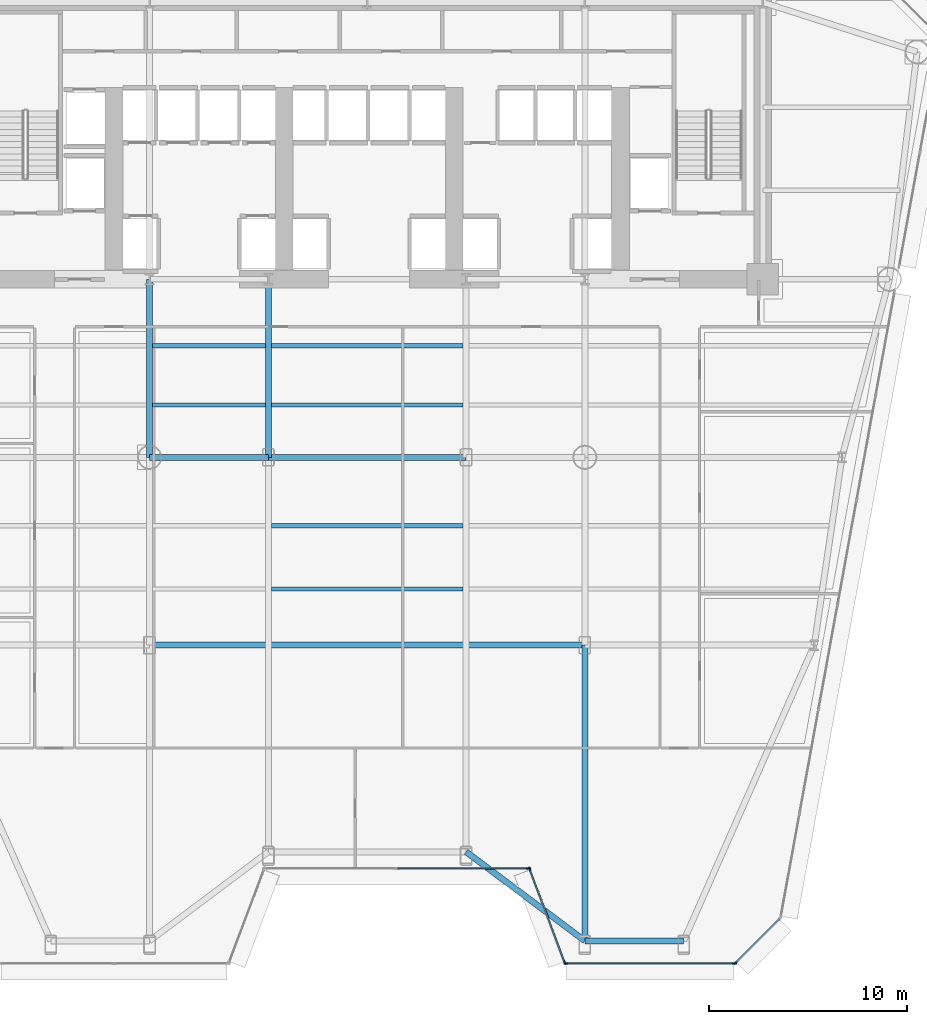
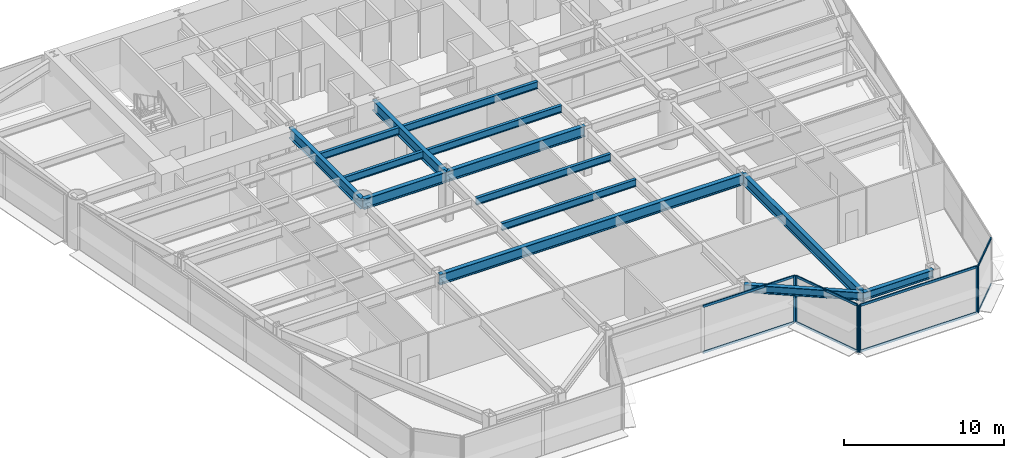
# One storey, part 3 of 14: 14 beams, 14 members, 4 elements without a shape of their own.
"""IFC4 building model written with IfcOpenShell, lengths in metres."""

from ifc_helpers import new_model, si_unit, direction, frame, origin, origin_2d, place, context, subcontext, project, spatial, rectangle, i_section, extrude, source, transform, mapped, material, layer, layer_set, material_profile, profile_set, type_object, element, aggregate, save


model = new_model("IFC4")

# Units and contexts
model_context = context("Model", 3, precision=1e-05, world=origin(), true_north=direction((0.0, 1.0)))
body_context = subcontext(model_context, "Body", "Model", "MODEL_VIEW")
ifc_project = project(units=[si_unit("LENGTHUNIT", "METRE"), si_unit("AREAUNIT", "SQUARE_METRE"), si_unit("VOLUMEUNIT", "CUBIC_METRE"), si_unit("PLANEANGLEUNIT", "RADIAN"), si_unit("MASSUNIT", "GRAM", prefix="KILO")], contexts=[model_context])

# Site, building, storey
site_placement = place(None, origin())
site = spatial("IfcSite", under=ifc_project, at=site_placement, CompositionType="ELEMENT")
building_placement = place(site_placement, origin())
building = spatial("IfcBuilding", under=site, at=building_placement, Name="Vaeldorn Concourse Tower", CompositionType="ELEMENT")
storey_placement = place(building_placement, frame((0.0, 0.0, 49.199951171875)))
storey = spatial("IfcBuildingStorey", under=building, at=storey_placement, Name="L12", CompositionType="ELEMENT", Elevation=49.199951171875)

# Beams
ifc_material_1 = material(Name="Steel S355", Category="steel")
ifc_material_profile_1 = material_profile(ifc_material_1, i_section(OverallWidth=0.300048828125, OverallDepth=0.800048828125, WebThickness=0.017578125, FlangeThickness=0.032958984375, FilletRadius=0.030029296875, at=origin_2d()), Name="HEB 800")
ifc_profile_set_1 = profile_set([ifc_material_profile_1], Name="Steel S355")
beam_type_1 = type_object("IfcBeamType", Name="BM-PG-HEB800", PredefinedType="BEAM", material=ifc_profile_set_1)
shared_shape_1 = source(origin(), body_context, "Body", "SweptSolid", [
    extrude(i_section(OverallWidth=0.300048828125, OverallDepth=0.800048828125, WebThickness=0.017578125, FlangeThickness=0.032958984375, FilletRadius=0.030029296875, at=origin_2d()), origin(), (0.0, 0.0, 1.0), 6.0),
])
beam_1_placement = place(storey_placement, frame((23.0, 27.5, 3.179931640625), z_axis=(1.0, 0.0, 0.0), x_axis=(0.0, 1.0, 0.0)))
element("IfcBeam", 1, at=beam_1_placement, inside=storey, type_object=beam_type_1, Name="Beam BM-L12-C-TW1-C-TW2", PredefinedType="BEAM", context=body_context, shape_type="MappedRepresentation", body=[
    mapped(shared_shape_1, transform((0.0, 0.0, 0.0), scale=1.0)),
])
shared_shape_2 = source(origin(), body_context, "Body", "SweptSolid", [
    extrude(i_section(OverallWidth=0.300048828125, OverallDepth=0.800048828125, WebThickness=0.017578125, FlangeThickness=0.032958984375, FilletRadius=0.030029296875, at=origin_2d()), origin(), (0.0, 0.0, 1.0), 10.0),
])
beam_2_placement = place(storey_placement, frame((29.0, 27.5, 3.179931640625), z_axis=(1.0, 0.0, 0.0), x_axis=(0.0, 1.0, 0.0)))
element("IfcBeam", 2, at=beam_2_placement, inside=storey, type_object=beam_type_1, Name="Beam BM-L12-C-TW2-C-TW3", PredefinedType="BEAM", context=body_context, shape_type="MappedRepresentation", body=[
    mapped(shared_shape_2, transform((0.0, 0.0, 0.0), scale=1.0)),
])
shared_shape_3 = source(origin(), body_context, "Body", "SweptSolid", [
    extrude(i_section(OverallWidth=0.300048828125, OverallDepth=0.800048828125, WebThickness=0.017578125, FlangeThickness=0.032958984375, FilletRadius=0.030029296875, at=origin_2d()), origin(), (0.0, 0.0, 1.0), 9.0),
])
for number, where, z_axis, x_axis, name in (
    (3, (23.0, 27.5, 3.179931640625), (0.0, 1.0, 0.0), (-1.0, 0.0, 0.0), "Beam BM-L12-C-TW1-C-FC2"),
    (4, (29.0, 27.5, 3.179931640625), (0.0, 1.0, 0.0), (-1.0, 0.0, 0.0), "Beam BM-L12-C-TW2-C-FC3"),
):
    element("IfcBeam", number, at=place(storey_placement, frame(where, z_axis=z_axis, x_axis=x_axis)), inside=storey, type_object=beam_type_1, Name=name, PredefinedType="BEAM", context=body_context, shape_type="MappedRepresentation", body=[
        mapped(shared_shape_3, transform((0.0, 0.0, 0.0), scale=1.0)),
    ])
ifc_material_profile_2 = material_profile(ifc_material_1, i_section(OverallWidth=0.300048828125, OverallDepth=0.60009765625, WebThickness=0.015380859375, FlangeThickness=0.030029296875, FilletRadius=0.027099609375, at=origin_2d()), Name="HEB 600")
ifc_profile_set_2 = profile_set([ifc_material_profile_2], Name="Steel S355")
beam_type_2 = type_object("IfcBeamType", Name="BM-SP-HEB600", PredefinedType="SPANDREL", material=ifc_profile_set_2)
shared_shape_4 = source(origin(), body_context, "Body", "SweptSolid", [
    extrude(i_section(OverallWidth=0.300048828125, OverallDepth=0.60009765625, WebThickness=0.015380859375, FlangeThickness=0.030029296875, FilletRadius=0.027099609375, at=origin_2d()), origin(), (0.0, 0.0, 1.0), 5.0),
])
beam_3_placement = place(storey_placement, frame((45.0, 3.0517578125, 3.280029296875), z_axis=(1.0, 0.0, 0.0), x_axis=(0.0, 1.0, 0.0)))
element("IfcBeam", 5, at=beam_3_placement, inside=storey, type_object=beam_type_2, Name="Beam BM-L12-C-SF5-C-SF6", PredefinedType="SPANDREL", context=body_context, shape_type="MappedRepresentation", body=[
    mapped(shared_shape_4, transform((0.0, 0.0, 0.0), scale=1.0)),
])
shared_shape_5 = source(origin(), body_context, "Body", "SweptSolid", [
    extrude(i_section(OverallWidth=0.300048828125, OverallDepth=0.60009765625, WebThickness=0.015380859375, FlangeThickness=0.030029296875, FilletRadius=0.027099609375, at=origin_2d()), origin(), (0.0, 0.0, 1.0), 7.5),
])
beam_4_placement = place(storey_placement, frame((39.0, 7.5517578125, 3.280029296875), z_axis=(0.8, -0.6, 0.0), x_axis=(0.6, 0.8, 0.0)))
element("IfcBeam", 6, at=beam_4_placement, inside=storey, type_object=beam_type_2, Name="Beam BM-L12-C-SF4-C-SF5", PredefinedType="SPANDREL", context=body_context, shape_type="MappedRepresentation", body=[
    mapped(shared_shape_5, transform((0.0, 0.0, 0.0), scale=1.0)),
])
shared_shape_6 = source(origin(), body_context, "Body", "SweptSolid", [
    extrude(i_section(OverallWidth=0.300048828125, OverallDepth=0.800048828125, WebThickness=0.017578125, FlangeThickness=0.032958984375, FilletRadius=0.030029296875, at=origin_2d()), origin(), (0.0, 0.0, 1.0), 22.0),
])
beam_5_placement = place(storey_placement, frame((23.0, 18.0, 3.179931640625), z_axis=(1.0, 0.0, 0.0), x_axis=(0.0, 1.0, 0.0)))
element("IfcBeam", 7, at=beam_5_placement, inside=storey, type_object=beam_type_1, Name="Beam BM-L12-C-TW5-C-TW6", PredefinedType="BEAM", context=body_context, shape_type="MappedRepresentation", body=[
    mapped(shared_shape_6, transform((0.0, 0.0, 0.0), scale=1.0)),
])
ifc_material_profile_3 = material_profile(ifc_material_1, i_section(OverallWidth=0.2099609375, OverallDepth=0.550048828125, WebThickness=0.010986328125, FlangeThickness=0.01708984375, FilletRadius=0.02392578125, at=origin_2d()), Name="IPE 550")
ifc_profile_set_3 = profile_set([ifc_material_profile_3], Name="Steel S355")
beam_type_3 = type_object("IfcBeamType", Name="BM-JS-IPE550", PredefinedType="JOIST", material=ifc_profile_set_3)
shared_shape_7 = source(origin(), body_context, "Body", "SweptSolid", [
    extrude(i_section(OverallWidth=0.2099609375, OverallDepth=0.550048828125, WebThickness=0.010986328125, FlangeThickness=0.01708984375, FilletRadius=0.02392578125, at=origin_2d()), origin(), (0.0, 0.0, 1.0), 5.7001953125),
])
for number, where, z_axis, x_axis, name in (
    (8, (23.14990234375, 30.139892578125, 3.304931640625), (1.0, 0.0, 0.0), (0.0, 1.0, 0.0), "Beam JS-L12-W2-301"),
    (9, (23.14990234375, 33.139892578125, 3.304931640625), (1.0, 0.0, 0.0), (0.0, 1.0, 0.0), "Beam JS-L12-W2-331"),
):
    element("IfcBeam", number, at=place(storey_placement, frame(where, z_axis=z_axis, x_axis=x_axis)), inside=storey, type_object=beam_type_3, Name=name, PredefinedType="JOIST", context=body_context, shape_type="MappedRepresentation", body=[
        mapped(shared_shape_7, transform((0.0, 0.0, 0.0), scale=1.0)),
    ])
shared_shape_8 = source(origin(), body_context, "Body", "SweptSolid", [
    extrude(i_section(OverallWidth=0.2099609375, OverallDepth=0.550048828125, WebThickness=0.010986328125, FlangeThickness=0.01708984375, FilletRadius=0.02392578125, at=origin_2d()), origin(), (0.0, 0.0, 1.0), 9.7001953125),
])
for number, where, z_axis, x_axis, name in (
    (10, (29.14990234375, 20.840087890625, 3.304931640625), (1.0, 0.0, 0.0), (0.0, 1.0, 0.0), "Beam JS-L12-C-208"),
    (11, (29.14990234375, 24.0400390625, 3.304931640625), (1.0, 0.0, 0.0), (0.0, 1.0, 0.0), "Beam JS-L12-C-240"),
    (12, (29.14990234375, 30.139892578125, 3.304931640625), (1.0, 0.0, 0.0), (0.0, 1.0, 0.0), "Beam JS-L12-C-301"),
    (13, (29.14990234375, 33.139892578125, 3.304931640625), (1.0, 0.0, 0.0), (0.0, 1.0, 0.0), "Beam JS-L12-C-331"),
):
    element("IfcBeam", number, at=place(storey_placement, frame(where, z_axis=z_axis, x_axis=x_axis)), inside=storey, type_object=beam_type_3, Name=name, PredefinedType="JOIST", context=body_context, shape_type="MappedRepresentation", body=[
        mapped(shared_shape_8, transform((0.0, 0.0, 0.0), scale=1.0)),
    ])
shared_shape_9 = source(origin(), body_context, "Body", "SweptSolid", [
    extrude(i_section(OverallWidth=0.300048828125, OverallDepth=0.800048828125, WebThickness=0.017578125, FlangeThickness=0.032958984375, FilletRadius=0.030029296875, at=origin_2d()), origin(), (0.0, 0.0, 1.0), 14.9482421875),
])
beam_6_placement = place(storey_placement, frame((45.0, 3.0517578125, 3.179931640625), z_axis=(0.0, 1.0, 0.0), x_axis=(-1.0, 0.0, 0.0)))
element("IfcBeam", 14, at=beam_6_placement, inside=storey, type_object=beam_type_1, Name="Beam BM-L12-C-SF5-C-TW6", PredefinedType="BEAM", context=body_context, shape_type="MappedRepresentation", body=[
    mapped(shared_shape_9, transform((0.0, 0.0, 0.0), scale=1.0)),
])

# Curtain wall, members
ifc_material_2 = material(Name="Anodised Bronze Aluminium", Category="aluminium")
ifc_layer = layer(ifc_material_2, 0.219970703125)
ifc_layer_set = layer_set([ifc_layer], Name="Anodised Bronze Aluminium")
curtain_wall_type = type_object("IfcCurtainWallType", Name="CW-SYS-01", PredefinedType="NOTDEFINED", material=ifc_layer_set)
curtain_wall_1_placement = place(storey_placement, origin())
curtain_wall_1 = element("IfcCurtainWall", 15, at=curtain_wall_1_placement, inside=storey, type_object=curtain_wall_type, Name="Unitised Curtain Wall CW-L12-E04-1", PredefinedType="NOTDEFINED")
ifc_material_profile_4 = material_profile(ifc_material_2, rectangle(XDim=0.074951171875, YDim=0.179931640625, at=origin_2d()), Name="CWT 75x180")
ifc_profile_set_4 = profile_set([ifc_material_profile_4], Name="Anodised Bronze Aluminium")
member_type_1 = type_object("IfcMemberType", Name="CWT-BRONZE-180", PredefinedType="USERDEFINED", material=ifc_profile_set_4)
shared_shape_10 = source(origin(), body_context, "Body", "SweptSolid", [
    extrude(rectangle(XDim=0.074951171875, YDim=0.179931640625, at=origin_2d()), origin(), (0.0, 0.0, 1.0), 4.976318359375),
])
member_1_placement = place(storey_placement, frame((42.226318359375, 6.642333984375, 0.03759765625), z_axis=(0.351128818119, -0.936327161352, 0.0), x_axis=(0.936327161352, 0.351128818119, 0.0)))
member_1 = element("IfcMember", 16, at=member_1_placement, type_object=member_type_1, Name="CW-01 transom 1.1", ObjectType="TRANSOM", PredefinedType="USERDEFINED", context=body_context, shape_type="MappedRepresentation", body=[
    mapped(shared_shape_10, transform((0.0, 0.0, 0.0), scale=1.0)),
])
member_2_placement = place(storey_placement, frame((42.226318359375, 6.642333984375, 3.54248046875), z_axis=(0.351128818119, -0.936327161352, 0.0), x_axis=(0.936327161352, 0.351128818119, 0.0)))
member_2 = element("IfcMember", 17, at=member_2_placement, type_object=member_type_1, Name="CW-01 transom 1.2", ObjectType="TRANSOM", PredefinedType="USERDEFINED", context=body_context, shape_type="MappedRepresentation", body=[
    mapped(shared_shape_10, transform((0.0, 0.0, 0.0), scale=1.0)),
])

curtain_wall_2_placement = place(storey_placement, origin())
curtain_wall_2 = element("IfcCurtainWall", 18, at=curtain_wall_2_placement, inside=storey, type_object=curtain_wall_type, Name="Unitised Curtain Wall CW-L12-E03-1", PredefinedType="NOTDEFINED")
shared_shape_11 = source(origin(), body_context, "Body", "SweptSolid", [
    extrude(rectangle(XDim=0.074951171875, YDim=0.179931640625, at=origin_2d()), origin(), (0.0, 0.0, 1.0), 6.58740234375),
])
member_3_placement = place(storey_placement, frame((35.53759765625, 6.712646484375, 0.03759765625), z_axis=(1.0, 0.0, 0.0), x_axis=(0.0, 1.0, 0.0)))
member_3 = element("IfcMember", 19, at=member_3_placement, type_object=member_type_1, Name="CW-01 transom 2.1", ObjectType="TRANSOM", PredefinedType="USERDEFINED", context=body_context, shape_type="MappedRepresentation", body=[
    mapped(shared_shape_11, transform((0.0, 0.0, 0.0), scale=1.0)),
])
member_4_placement = place(storey_placement, frame((35.53759765625, 6.712646484375, 3.54248046875), z_axis=(1.0, 0.0, 0.0), x_axis=(0.0, 1.0, 0.0)))
member_4 = element("IfcMember", 20, at=member_4_placement, type_object=member_type_1, Name="CW-01 transom 2.2", ObjectType="TRANSOM", PredefinedType="USERDEFINED", context=body_context, shape_type="MappedRepresentation", body=[
    mapped(shared_shape_11, transform((0.0, 0.0, 0.0), scale=1.0)),
])

curtain_wall_3_placement = place(storey_placement, origin())
curtain_wall_3 = element("IfcCurtainWall", 21, at=curtain_wall_3_placement, inside=storey, type_object=curtain_wall_type, Name="Unitised Curtain Wall CW-L12-E06-1", PredefinedType="NOTDEFINED")
shared_shape_12 = source(origin(), body_context, "Body", "SweptSolid", [
    extrude(rectangle(XDim=0.074951171875, YDim=0.179931640625, at=origin_2d()), origin(), (0.0, 0.0, 1.0), 3.10302734375),
])
member_5_placement = place(storey_placement, frame((52.653564453125, 1.965576171875, 0.03759765625), z_axis=(0.707106781187, 0.707106781187, 0.0), x_axis=(-0.707106781187, 0.707106781187, 0.0)))
member_5 = element("IfcMember", 22, at=member_5_placement, type_object=member_type_1, Name="CW-01 transom 1.1", ObjectType="TRANSOM", PredefinedType="USERDEFINED", context=body_context, shape_type="MappedRepresentation", body=[
    mapped(shared_shape_12, transform((0.0, 0.0, 0.0), scale=1.0)),
])
member_6_placement = place(storey_placement, frame((52.653564453125, 1.965576171875, 3.54248046875), z_axis=(0.707106781187, 0.707106781187, 0.0), x_axis=(-0.707106781187, 0.707106781187, 0.0)))
member_6 = element("IfcMember", 23, at=member_6_placement, type_object=member_type_1, Name="CW-01 transom 1.2", ObjectType="TRANSOM", PredefinedType="USERDEFINED", context=body_context, shape_type="MappedRepresentation", body=[
    mapped(shared_shape_12, transform((0.0, 0.0, 0.0), scale=1.0)),
])

# Member
ifc_material_profile_5 = material_profile(ifc_material_2, rectangle(XDim=0.074951171875, YDim=0.219970703125, at=origin_2d()), Name="CWM 75x220")
ifc_profile_set_5 = profile_set([ifc_material_profile_5], Name="Anodised Bronze Aluminium")
member_type_2 = type_object("IfcMemberType", Name="CWM-BRONZE-220", PredefinedType="MULLION", material=ifc_profile_set_5)
shared_shape_13 = source(origin(), body_context, "Body", "SweptSolid", [
    extrude(rectangle(XDim=0.074951171875, YDim=0.219970703125, at=origin_2d()), origin(), (0.0, 0.0, 1.0), 3.580078125),
])
member_7_placement = place(storey_placement, frame((42.16259765625, 6.712646484375, 0.0), z_axis=(0.0, 0.0, 1.0), x_axis=(0.0, 1.0, 0.0)))
member_7 = element("IfcMember", 24, at=member_7_placement, type_object=member_type_2, Name="CW-01 mullion 3", PredefinedType="MULLION", context=body_context, shape_type="MappedRepresentation", body=[
    mapped(shared_shape_13, transform((0.0, 0.0, 0.0), scale=1.0)),
])

aggregate(curtain_wall_2, [member_7, member_3, member_4])

member_8_placement = place(storey_placement, frame((42.213134765625, 6.677490234375, 0.0), z_axis=(0.0, 0.0, 1.0), x_axis=(0.936329177566, 0.351123441595, 0.0)))
member_8 = element("IfcMember", 25, at=member_8_placement, type_object=member_type_2, Name="CW-01 mullion 1", PredefinedType="MULLION", context=body_context, shape_type="MappedRepresentation", body=[
    mapped(shared_shape_13, transform((0.0, 0.0, 0.0), scale=1.0)),
])

member_9_placement = place(storey_placement, frame((43.98681640625, 1.94775390625, 0.0), z_axis=(0.0, 0.0, 1.0), x_axis=(0.936329177566, 0.351123441595, 0.0)))
member_9 = element("IfcMember", 26, at=member_9_placement, type_object=member_type_2, Name="CW-01 mullion 2", PredefinedType="MULLION", context=body_context, shape_type="MappedRepresentation", body=[
    mapped(shared_shape_13, transform((0.0, 0.0, 0.0), scale=1.0)),
])

aggregate(curtain_wall_1, [member_8, member_9, member_1, member_2])

# Curtain wall, members
curtain_wall_4_placement = place(storey_placement, origin())
curtain_wall_4 = element("IfcCurtainWall", 27, at=curtain_wall_4_placement, inside=storey, type_object=curtain_wall_type, Name="Unitised Curtain Wall CW-L12-E05-1", PredefinedType="NOTDEFINED")
member_10_placement = place(storey_placement, frame((44.03759765625, 1.91259765625, 0.0), z_axis=(0.0, 0.0, 1.0), x_axis=(0.0, 1.0, 0.0)))
member_10 = element("IfcMember", 28, at=member_10_placement, type_object=member_type_2, Name="CW-01 mullion 1", PredefinedType="MULLION", context=body_context, shape_type="MappedRepresentation", body=[
    mapped(shared_shape_13, transform((0.0, 0.0, 0.0), scale=1.0)),
])
member_11_placement = place(storey_placement, frame((52.56298828125, 1.91259765625, 0.0), z_axis=(0.0, 0.0, 1.0), x_axis=(0.0, 1.0, 0.0)))
member_11 = element("IfcMember", 29, at=member_11_placement, type_object=member_type_2, Name="CW-01 mullion 2", PredefinedType="MULLION", context=body_context, shape_type="MappedRepresentation", body=[
    mapped(shared_shape_13, transform((0.0, 0.0, 0.0), scale=1.0)),
])

# Member
member_12_placement = place(storey_placement, frame((52.627197265625, 1.939208984375, 0.0), z_axis=(0.0, 0.0, 1.0), x_axis=(-0.707106781187, 0.707106781187, 0.0)))
member_12 = element("IfcMember", 30, at=member_12_placement, type_object=member_type_2, Name="CW-01 mullion 1", PredefinedType="MULLION", context=body_context, shape_type="MappedRepresentation", body=[
    mapped(shared_shape_13, transform((0.0, 0.0, 0.0), scale=1.0)),
])

aggregate(curtain_wall_3, [member_12, member_5, member_6])

shared_shape_14 = source(origin(), body_context, "Body", "SweptSolid", [
    extrude(rectangle(XDim=0.074951171875, YDim=0.179931640625, at=origin_2d()), origin(), (0.0, 0.0, 1.0), 8.45068359375),
])
member_13_placement = place(storey_placement, frame((44.074951171875, 1.91259765625, 0.03759765625), z_axis=(1.0, 0.0, 0.0), x_axis=(0.0, 1.0, 0.0)))
member_13 = element("IfcMember", 31, at=member_13_placement, type_object=member_type_1, Name="CW-01 transom 1.1", ObjectType="TRANSOM", PredefinedType="USERDEFINED", context=body_context, shape_type="MappedRepresentation", body=[
    mapped(shared_shape_14, transform((0.0, 0.0, 0.0), scale=1.0)),
])

member_14_placement = place(storey_placement, frame((44.074951171875, 1.91259765625, 3.54248046875), z_axis=(1.0, 0.0, 0.0), x_axis=(0.0, 1.0, 0.0)))
member_14 = element("IfcMember", 32, at=member_14_placement, type_object=member_type_1, Name="CW-01 transom 1.2", ObjectType="TRANSOM", PredefinedType="USERDEFINED", context=body_context, shape_type="MappedRepresentation", body=[
    mapped(shared_shape_14, transform((0.0, 0.0, 0.0), scale=1.0)),
])

aggregate(curtain_wall_4, [member_10, member_11, member_13, member_14])

save(model, "model.ifc")
